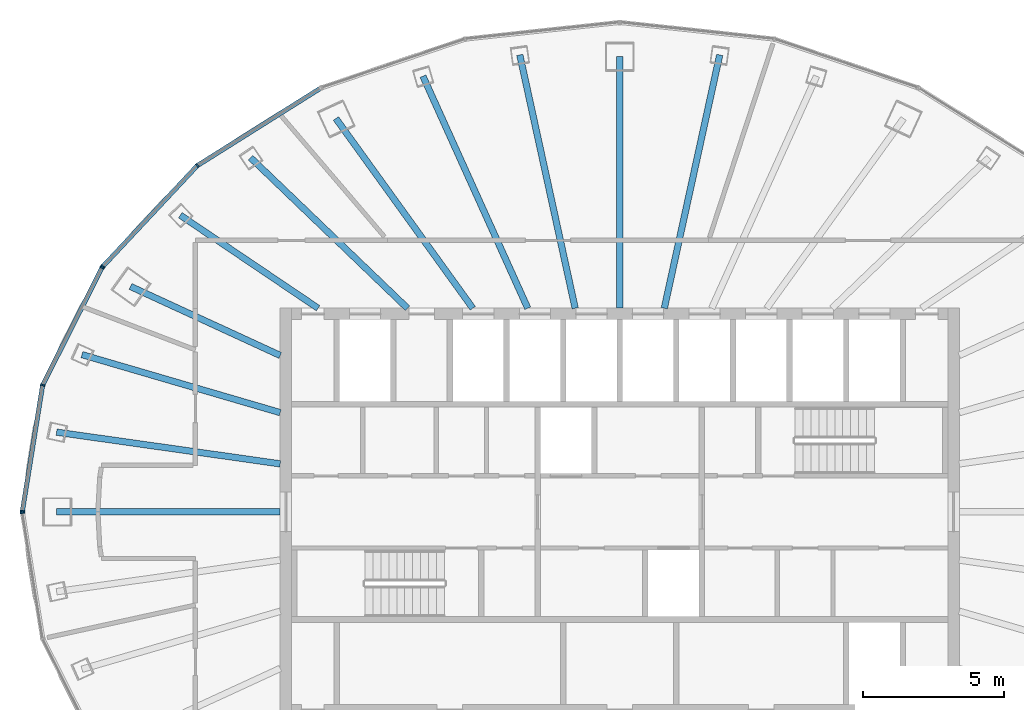
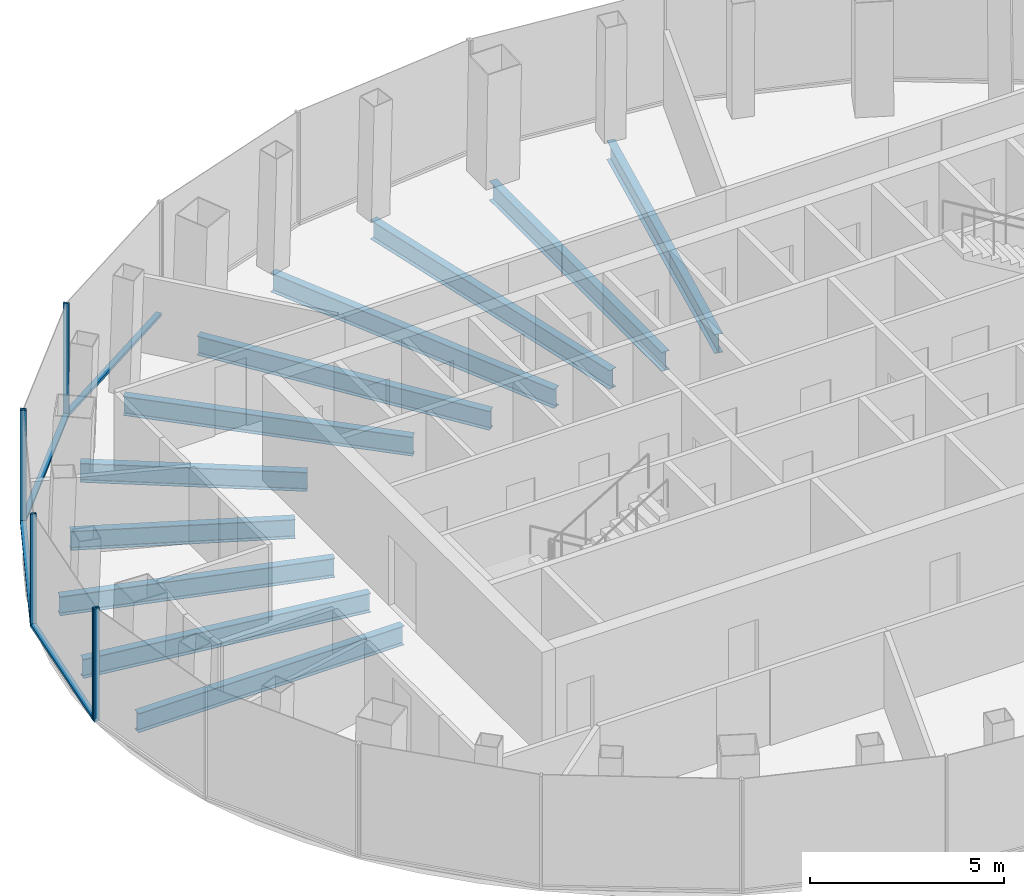
# One storey, part 4 of 11: 11 beams, 10 members, 3 elements without a shape of their own.
"""IFC4 building model written with IfcOpenShell, lengths in metres."""

from ifc_helpers import new_model, si_unit, direction, frame, origin, origin_2d, place, context, subcontext, project, spatial, rectangle, i_section, extrude, material, layer, layer_set, material_profile, profile_set, type_object, element, aggregate, save


model = new_model("IFC4")

# Units and contexts
model_context = context("Model", 3, precision=1e-05, world=origin(), true_north=direction((0.0, 1.0)))
body_context = subcontext(model_context, "Body", "Model", "MODEL_VIEW")
ifc_project = project(units=[si_unit("LENGTHUNIT", "METRE"), si_unit("AREAUNIT", "SQUARE_METRE"), si_unit("VOLUMEUNIT", "CUBIC_METRE"), si_unit("PLANEANGLEUNIT", "RADIAN"), si_unit("MASSUNIT", "GRAM", prefix="KILO")], contexts=[model_context])

# Site, building, storey
site_placement = place(None, origin())
site = spatial("IfcSite", under=ifc_project, at=site_placement, CompositionType="ELEMENT")
building_placement = place(site_placement, origin())
building = spatial("IfcBuilding", under=site, at=building_placement, Name="Siaravel Broadcast Tower", CompositionType="ELEMENT")
storey_placement = place(building_placement, frame((0.0, 0.0, 246.699951171875)))
storey = spatial("IfcBuildingStorey", under=building, at=storey_placement, Name="L60", CompositionType="ELEMENT", Elevation=246.699951171875)

# Beams
ifc_material_1 = material(Name="Steel S355", Category="steel")
ifc_material_profile_1 = material_profile(ifc_material_1, i_section(OverallWidth=0.2275390625, OverallDepth=0.6025390625, WebThickness=0.010498046875, FlangeThickness=0.014892578125, FilletRadius=0.0126953125, at=origin_2d()))
ifc_profile_set_1 = profile_set([ifc_material_profile_1], Name="Steel S355")
beam_type = type_object("IfcBeamType", Name="BM-UB 610x229x101", PredefinedType="BEAM", material=ifc_profile_set_1)
beam_1_placement = place(storey_placement, frame((3.532958984375, 16.1513671875, -0.451171875), z_axis=(-0.21368496, -0.976902625, 0.0), x_axis=(0.976902625, -0.21368496, 0.0)))
element("IfcBeam", 1, at=beam_1_placement, inside=storey, type_object=beam_type, Name="Radial beam RB09", PredefinedType="BEAM", context=body_context, shape_type="SweptSolid", body=[
    extrude(i_section(OverallWidth=0.2275390625, OverallDepth=0.6025390625, WebThickness=0.010498046875, FlangeThickness=0.014892578125, FilletRadius=0.0126953125, at=origin_2d()), origin(), (0.0, 0.0, 1.0), 9.1630859375),
])
beam_2_placement = place(storey_placement, frame((0.0, 16.1044921875, -0.451171875), z_axis=(0.0, -1.0, 0.0), x_axis=(1.0, 0.0, 0.0)))
element("IfcBeam", 2, at=beam_2_placement, inside=storey, type_object=beam_type, Name="Radial beam RB10", PredefinedType="BEAM", context=body_context, shape_type="SweptSolid", body=[
    extrude(i_section(OverallWidth=0.2275390625, OverallDepth=0.6025390625, WebThickness=0.010498046875, FlangeThickness=0.014892578125, FilletRadius=0.0126953125, at=origin_2d()), origin(), (0.0, 0.0, 1.0), 8.904541015625),
])
beam_3_placement = place(storey_placement, frame((-3.532958984375, 16.1513671875, -0.451171875), z_axis=(0.21368496, -0.976902625, 0.0), x_axis=(0.976902625, 0.21368496, 0.0)))
element("IfcBeam", 3, at=beam_3_placement, inside=storey, type_object=beam_type, Name="Radial beam RB11", PredefinedType="BEAM", context=body_context, shape_type="SweptSolid", body=[
    extrude(i_section(OverallWidth=0.2275390625, OverallDepth=0.6025390625, WebThickness=0.010498046875, FlangeThickness=0.014892578125, FilletRadius=0.0126953125, at=origin_2d()), origin(), (0.0, 0.0, 1.0), 9.1630859375),
])
beam_4_placement = place(storey_placement, frame((-6.955078125, 15.400390625, -0.451171875), z_axis=(0.411581634, -0.911372898, 0.0), x_axis=(0.911372898, 0.411581634, 0.0)))
element("IfcBeam", 4, at=beam_4_placement, inside=storey, type_object=beam_type, Name="Radial beam RB12", PredefinedType="BEAM", context=body_context, shape_type="SweptSolid", body=[
    extrude(i_section(OverallWidth=0.2275390625, OverallDepth=0.6025390625, WebThickness=0.010498046875, FlangeThickness=0.014892578125, FilletRadius=0.0126953125, at=origin_2d()), origin(), (0.0, 0.0, 1.0), 8.997802734375),
])
beam_5_placement = place(storey_placement, frame((-10.031494140625, 13.905029296875, -0.451171875), z_axis=(0.585061371, -0.810989021, 0.0), x_axis=(0.810989021, 0.585061371, 0.0)))
element("IfcBeam", 5, at=beam_5_placement, inside=storey, type_object=beam_type, Name="Radial beam RB13", PredefinedType="BEAM", context=body_context, shape_type="SweptSolid", body=[
    extrude(i_section(OverallWidth=0.2275390625, OverallDepth=0.6025390625, WebThickness=0.010498046875, FlangeThickness=0.014892578125, FilletRadius=0.0126953125, at=origin_2d()), origin(), (0.0, 0.0, 1.0), 8.267822265625),
])
beam_6_placement = place(storey_placement, frame((-13.0478515625, 12.52001953125, -0.451171875), z_axis=(0.721555554, -0.692356543, 0.0), x_axis=(0.692356543, 0.721555554, 0.0)))
element("IfcBeam", 6, at=beam_6_placement, inside=storey, type_object=beam_type, Name="Radial beam RB14", PredefinedType="BEAM", context=body_context, shape_type="SweptSolid", body=[
    extrude(i_section(OverallWidth=0.2275390625, OverallDepth=0.6025390625, WebThickness=0.010498046875, FlangeThickness=0.014892578125, FilletRadius=0.0126953125, at=origin_2d()), origin(), (0.0, 0.0, 1.0), 7.68408203125),
])
beam_7_placement = place(storey_placement, frame((-15.531005859375, 10.486328125, -0.451171875), z_axis=(0.828780717, -0.559573518, 0.0), x_axis=(0.559573518, 0.828780717, 0.0)))
element("IfcBeam", 7, at=beam_7_placement, inside=storey, type_object=beam_type, Name="Radial beam RB15", PredefinedType="BEAM", context=body_context, shape_type="SweptSolid", body=[
    extrude(i_section(OverallWidth=0.2275390625, OverallDepth=0.6025390625, WebThickness=0.010498046875, FlangeThickness=0.014892578125, FilletRadius=0.0126953125, at=origin_2d()), origin(), (0.0, 0.0, 1.0), 5.873046875),
])
beam_8_placement = place(storey_placement, frame((-17.290771484375, 7.968505859375, -0.451171875), z_axis=(0.908198422, -0.418539875, 0.0), x_axis=(0.418539875, 0.908198422, 0.0)))
element("IfcBeam", 8, at=beam_8_placement, inside=storey, type_object=beam_type, Name="Radial beam RB16", PredefinedType="BEAM", context=body_context, shape_type="SweptSolid", body=[
    extrude(i_section(OverallWidth=0.2275390625, OverallDepth=0.6025390625, WebThickness=0.010498046875, FlangeThickness=0.014892578125, FilletRadius=0.0126953125, at=origin_2d()), origin(), (0.0, 0.0, 1.0), 5.82568359375),
])
beam_9_placement = place(storey_placement, frame((-19.006103515625, 5.559326171875, -0.451171875), z_axis=(0.959783576, -0.28074096, 0.0), x_axis=(0.28074096, 0.959783576, 0.0)))
element("IfcBeam", 9, at=beam_9_placement, inside=storey, type_object=beam_type, Name="Radial beam RB17", PredefinedType="BEAM", context=body_context, shape_type="SweptSolid", body=[
    extrude(i_section(OverallWidth=0.2275390625, OverallDepth=0.6025390625, WebThickness=0.010498046875, FlangeThickness=0.014892578125, FilletRadius=0.0126953125, at=origin_2d()), origin(), (0.0, 0.0, 1.0), 7.299560546875),
])
beam_10_placement = place(storey_placement, frame((-19.902587890625, 2.819091796875, -0.451171875), z_axis=(0.990116423, -0.140247885, 0.0), x_axis=(0.140247885, 0.990116423, 0.0)))
element("IfcBeam", 10, at=beam_10_placement, inside=storey, type_object=beam_type, Name="Radial beam RB18", PredefinedType="BEAM", context=body_context, shape_type="SweptSolid", body=[
    extrude(i_section(OverallWidth=0.2275390625, OverallDepth=0.6025390625, WebThickness=0.010498046875, FlangeThickness=0.014892578125, FilletRadius=0.0126953125, at=origin_2d()), origin(), (0.0, 0.0, 1.0), 7.9814453125),
])
beam_11_placement = place(storey_placement, frame((-19.90380859375, 0.0, -0.451171875), z_axis=(1.0, 0.0, 0.0), x_axis=(0.0, 1.0, 0.0)))
element("IfcBeam", 11, at=beam_11_placement, inside=storey, type_object=beam_type, Name="Radial beam RB19", PredefinedType="BEAM", context=body_context, shape_type="SweptSolid", body=[
    extrude(i_section(OverallWidth=0.2275390625, OverallDepth=0.6025390625, WebThickness=0.010498046875, FlangeThickness=0.014892578125, FilletRadius=0.0126953125, at=origin_2d()), origin(), (0.0, 0.0, 1.0), 7.90380859375),
])

# Curtain wall, members
ifc_material_2 = material(Name="Aluminium 6063-T6", Category="aluminium")
ifc_layer = layer(ifc_material_2, 0.159912109375)
ifc_layer_set = layer_set([ifc_layer], Name="Aluminium 6063-T6")
curtain_wall_type = type_object("IfcCurtainWallType", Name="Unitised curtain wall, zone 4", PredefinedType="NOTDEFINED", material=ifc_layer_set)
curtain_wall_1_placement = place(storey_placement, origin())
curtain_wall_1 = element("IfcCurtainWall", 12, at=curtain_wall_1_placement, inside=storey, type_object=curtain_wall_type, Name="L60 Unitised curtain wall, zone 4 05", PredefinedType="NOTDEFINED")
ifc_material_profile_2 = material_profile(ifc_material_2, rectangle(XDim=0.159912109375, YDim=0.054931640625, at=origin_2d()))
ifc_profile_set_2 = profile_set([ifc_material_profile_2], Name="Aluminium 6063-T6")
member_type_1 = type_object("IfcMemberType", Name="CW-Z4 mullion", PredefinedType="MULLION", material=ifc_profile_set_2)
member_1_placement = place(storey_placement, frame((-14.928955078125, 12.2412109375, 0.0), z_axis=(0.0, 0.0, 1.0), x_axis=(0.636219923, -0.771507751, 0.0)))
member_1 = element("IfcMember", 13, at=member_1_placement, type_object=member_type_1, Name="CW-Z4 mullion 2", PredefinedType="MULLION", context=body_context, shape_type="SweptSolid", body=[
    extrude(rectangle(XDim=0.159912109375, YDim=0.054931640625, at=origin_2d()), origin(), (0.0, 0.0, 1.0), 3.550048828125),
])
member_2_placement = place(storey_placement, frame((-18.267333984375, 8.67724609375, 0.0), z_axis=(0.0, 0.0, 1.0), x_axis=(0.729806527, -0.683653738, 0.0)))
member_2 = element("IfcMember", 14, at=member_2_placement, type_object=member_type_1, Name="CW-Z4 mullion 3", PredefinedType="MULLION", context=body_context, shape_type="SweptSolid", body=[
    extrude(rectangle(XDim=0.159912109375, YDim=0.054931640625, at=origin_2d()), origin(), (0.0, 0.0, 1.0), 3.550048828125),
])

curtain_wall_2_placement = place(storey_placement, origin())
curtain_wall_2 = element("IfcCurtainWall", 15, at=curtain_wall_2_placement, inside=storey, type_object=curtain_wall_type, Name="L60 Unitised curtain wall, zone 4 06", PredefinedType="NOTDEFINED")
member_3_placement = place(storey_placement, frame((-18.298583984375, 8.6328125, 0.0), z_axis=(0.0, 0.0, 1.0), x_axis=(0.892392891, -0.451259268, 0.0)))
member_3 = element("IfcMember", 16, at=member_3_placement, type_object=member_type_1, Name="CW-Z4 mullion 1", PredefinedType="MULLION", context=body_context, shape_type="SweptSolid", body=[
    extrude(rectangle(XDim=0.159912109375, YDim=0.054931640625, at=origin_2d()), origin(), (0.0, 0.0, 1.0), 3.550048828125),
])
member_4_placement = place(storey_placement, frame((-20.3974609375, 4.48193359375, 0.0), z_axis=(0.0, 0.0, 1.0), x_axis=(0.951177611, -0.308644055, 0.0)))
member_4 = element("IfcMember", 17, at=member_4_placement, type_object=member_type_1, Name="CW-Z4 mullion 2", PredefinedType="MULLION", context=body_context, shape_type="SweptSolid", body=[
    extrude(rectangle(XDim=0.159912109375, YDim=0.054931640625, at=origin_2d()), origin(), (0.0, 0.0, 1.0), 3.550048828125),
])
member_5_placement = place(storey_placement, frame((-21.11328125, 0.027099609375, 0.0), z_axis=(0.0, 0.0, 1.0), x_axis=(0.987329304, -0.158684735, 0.0)))
member_5 = element("IfcMember", 18, at=member_5_placement, type_object=member_type_1, Name="CW-Z4 mullion 3", PredefinedType="MULLION", context=body_context, shape_type="SweptSolid", body=[
    extrude(rectangle(XDim=0.159912109375, YDim=0.054931640625, at=origin_2d()), origin(), (0.0, 0.0, 1.0), 3.550048828125),
])

# Curtain wall, member
curtain_wall_3_placement = place(storey_placement, origin())
curtain_wall_3 = element("IfcCurtainWall", 19, at=curtain_wall_3_placement, inside=storey, type_object=curtain_wall_type, Name="L60 Unitised curtain wall, zone 4 07", PredefinedType="NOTDEFINED")
member_6_placement = place(storey_placement, frame((-21.11328125, -0.027099609375, 0.0), z_axis=(0.0, 0.0, 1.0), x_axis=(0.987329304, 0.158684735, 0.0)))
member_6 = element("IfcMember", 20, at=member_6_placement, type_object=member_type_1, Name="CW-Z4 mullion 1", PredefinedType="MULLION", context=body_context, shape_type="SweptSolid", body=[
    extrude(rectangle(XDim=0.159912109375, YDim=0.054931640625, at=origin_2d()), origin(), (0.0, 0.0, 1.0), 3.550048828125),
])
aggregate(curtain_wall_3, [member_6])

# Member
ifc_material_profile_3 = material_profile(ifc_material_2, rectangle(XDim=0.159912109375, YDim=0.090087890625, at=origin_2d()))
ifc_profile_set_3 = profile_set([ifc_material_profile_3], Name="Aluminium 6063-T6")
member_type_2 = type_object("IfcMemberType", Name="CW-Z4 transom", PredefinedType="USERDEFINED", material=ifc_profile_set_3)
member_7_placement = place(storey_placement, frame((-10.601806640625, 14.960693359375, 0.045166015625), z_axis=(-0.84666808, -0.532121379, 0.0), x_axis=(0.532121379, -0.84666808, 0.0)))
member_7 = element("IfcMember", 21, at=member_7_placement, type_object=member_type_2, Name="CW-Z4 transom 1", ObjectType="TRANSOM", PredefinedType="USERDEFINED", context=body_context, shape_type="SweptSolid", body=[
    extrude(rectangle(XDim=0.159912109375, YDim=0.090087890625, at=origin_2d()), origin(), (0.0, 0.0, 1.0), 5.0830078125),
])

member_8_placement = place(storey_placement, frame((-14.94775390625, 12.22119140625, 0.045166015625), z_axis=(-0.683646721, -0.7298131, 0.0), x_axis=(0.7298131, -0.683646721, 0.0)))
member_8 = element("IfcMember", 22, at=member_8_placement, type_object=member_type_2, Name="CW-Z4 transom 2", ObjectType="TRANSOM", PredefinedType="USERDEFINED", context=body_context, shape_type="SweptSolid", body=[
    extrude(rectangle(XDim=0.159912109375, YDim=0.090087890625, at=origin_2d()), origin(), (0.0, 0.0, 1.0), 4.828125),
])

aggregate(curtain_wall_1, [member_1, member_2, member_7, member_8])

member_9_placement = place(storey_placement, frame((-18.310791015625, 8.608154296875, 0.045166015625), z_axis=(-0.451288387, -0.892378166, 0.0), x_axis=(0.892378166, -0.451288387, 0.0)))
member_9 = element("IfcMember", 23, at=member_9_placement, type_object=member_type_2, Name="CW-Z4 transom 1", ObjectType="TRANSOM", PredefinedType="USERDEFINED", context=body_context, shape_type="SweptSolid", body=[
    extrude(rectangle(XDim=0.159912109375, YDim=0.090087890625, at=origin_2d()), origin(), (0.0, 0.0, 1.0), 4.59619140625),
])

member_10_placement = place(storey_placement, frame((-20.40185546875, 4.454833984375, 0.045166015625), z_axis=(-0.15868477, -0.987329299, 0.0), x_axis=(0.987329299, -0.15868477, 0.0)))
member_10 = element("IfcMember", 24, at=member_10_placement, type_object=member_type_2, Name="CW-Z4 transom 2", ObjectType="TRANSOM", PredefinedType="USERDEFINED", context=body_context, shape_type="SweptSolid", body=[
    extrude(rectangle(XDim=0.159912109375, YDim=0.090087890625, at=origin_2d()), origin(), (0.0, 0.0, 1.0), 4.45703125),
])

aggregate(curtain_wall_2, [member_3, member_4, member_5, member_9, member_10])

save(model, "model.ifc")
